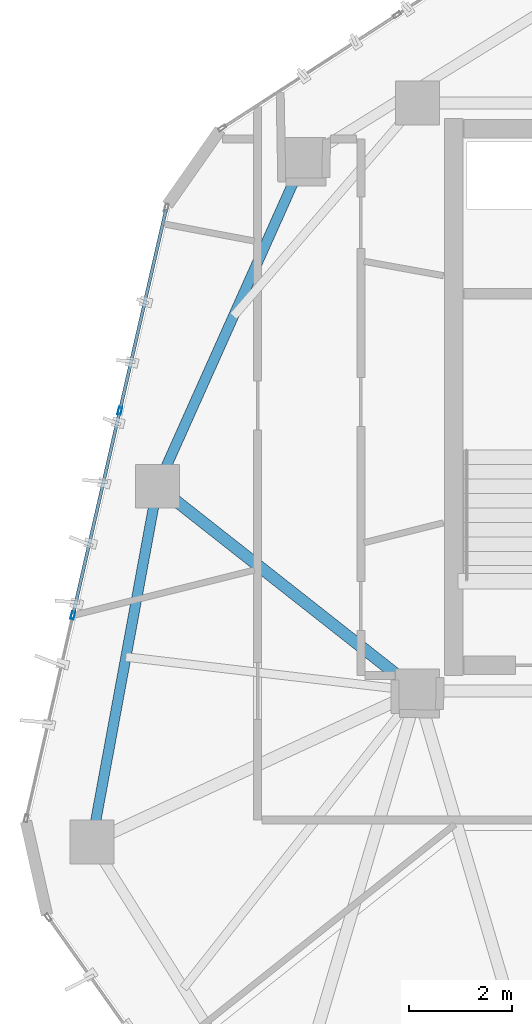
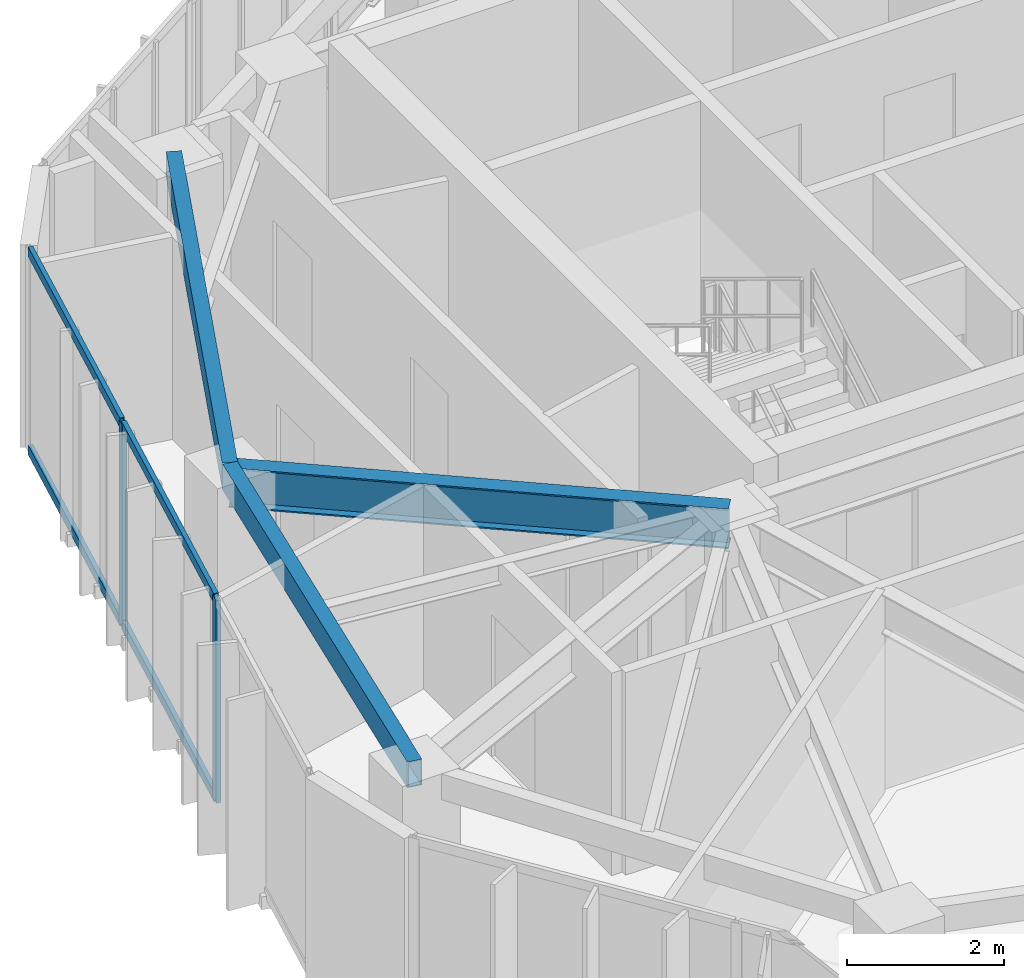
# One storey, part 8 of 20: 6 members, 3 beams, 1 element without a shape of its own.
"""IFC4 building model written with IfcOpenShell, lengths in metres."""

from ifc_helpers import new_model, si_unit, direction, frame, origin, origin_2d, place, context, subcontext, project, spatial, hollow_rectangle, i_section, extrude, source, transform, mapped, material, layer, layer_set, material_profile, profile_set, type_object, type_shapes, element, aggregate, save


model = new_model("IFC4")

# Units and contexts
model_context = context("Model", 3, precision=1e-05, world=origin(), true_north=direction((0.0, 1.0)))
body_context = subcontext(model_context, "Body", "Model", "MODEL_VIEW")
ifc_project = project(units=[si_unit("LENGTHUNIT", "METRE"), si_unit("AREAUNIT", "SQUARE_METRE"), si_unit("VOLUMEUNIT", "CUBIC_METRE"), si_unit("PLANEANGLEUNIT", "RADIAN"), si_unit("MASSUNIT", "GRAM", prefix="KILO")], contexts=[model_context])

# Site, building, storey
site_placement = place(None, origin())
site = spatial("IfcSite", under=ifc_project, at=site_placement, CompositionType="ELEMENT")
building_placement = place(site_placement, origin())
building = spatial("IfcBuilding", under=site, at=building_placement, Name="Talar Marvaseh", CompositionType="ELEMENT")
storey_placement = place(building_placement, frame((0.0, 0.0, 247.60009765625)))
storey = spatial("IfcBuildingStorey", under=building, at=storey_placement, Name="L65", CompositionType="ELEMENT", Elevation=247.60009765625)

# Beams
ifc_material_1 = material(Name="Steel S355", Category="steel")
ifc_material_profile_1 = material_profile(ifc_material_1, hollow_rectangle(XDim=0.199951171875, YDim=0.39990234375, WallThickness=0.013916015625, at=origin_2d()), Name="RHS400x200x14")
ifc_profile_set_1 = profile_set([ifc_material_profile_1], Name="Steel S355")
beam_type_1 = type_object("IfcBeamType", Name="Zone 3 Perimeter Spandrel Beam RHS400x200x14", PredefinedType="SPANDREL", material=ifc_profile_set_1)
beam_1_placement = place(storey_placement, frame((12.388916015625, 22.576904296875, 2.93994140625), z_axis=(0.18106135948, 0.983471801377, 0.0), x_axis=(-0.983471801377, 0.18106135948, 0.0)))
element("IfcBeam", 1, at=beam_1_placement, inside=storey, type_object=beam_type_1, Name="L65 Zone 3 Perimeter Spandrel Beam RHS400x200x14", PredefinedType="SPANDREL", context=body_context, shape_type="SweptSolid", body=[
    extrude(hollow_rectangle(XDim=0.199951171875, YDim=0.39990234375, WallThickness=0.013916015625, at=origin_2d()), origin(), (0.0, 0.0, 1.0), 7.0087890625),
])
beam_2_placement = place(storey_placement, frame((13.657958984375, 29.469970703125, 2.93994140625), z_axis=(0.408486346803, 0.912764429892, 0.0), x_axis=(-0.912764429892, 0.408486346803, 0.0)))
element("IfcBeam", 2, at=beam_2_placement, inside=storey, type_object=beam_type_1, Name="L65 Zone 3 Perimeter Spandrel Beam RHS400x200x14", PredefinedType="SPANDREL", context=body_context, shape_type="SweptSolid", body=[
    extrude(hollow_rectangle(XDim=0.199951171875, YDim=0.39990234375, WallThickness=0.013916015625, at=origin_2d()), origin(), (0.0, 0.0, 1.0), 6.942626953125),
])
ifc_material_profile_2 = material_profile(ifc_material_1, i_section(OverallWidth=0.22998046875, OverallDepth=0.616943359375, WebThickness=0.01318359375, FlangeThickness=0.022216796875, at=origin_2d()), Name="W610x140")
ifc_profile_set_2 = profile_set([ifc_material_profile_2], Name="Steel S355")
beam_type_2 = type_object("IfcBeamType", Name="Zone 4 Radial Floor Girder W610x140", PredefinedType="BEAM", material=ifc_profile_set_2)
beam_3_placement = place(storey_placement, frame((13.657958984375, 29.469970703125, 2.831298828125), z_axis=(0.785681617372, -0.618631066245, 0.0), x_axis=(0.618631066245, 0.785681617372, 0.0)))
element("IfcBeam", 3, at=beam_3_placement, inside=storey, type_object=beam_type_2, Name="L65 Zone 4 Radial Floor Girder W610x140", PredefinedType="BEAM", context=body_context, shape_type="SweptSolid", body=[
    extrude(i_section(OverallWidth=0.22998046875, OverallDepth=0.616943359375, WebThickness=0.01318359375, FlangeThickness=0.022216796875, at=origin_2d()), origin(), (0.0, 0.0, 1.0), 6.417236328125),
])

# Curtain wall, members
ifc_material_2 = material(Name="Architectural Aluminium", Category="aluminium")
ifc_layer = layer(ifc_material_2, 0.179931640625)
ifc_layer_set = layer_set([ifc_layer], Name="Architectural Aluminium")
curtain_wall_type = type_object("IfcCurtainWallType", Name="Unitised High-Wind Sky Curtain Wall Z4", PredefinedType="NOTDEFINED", material=ifc_layer_set)
curtain_wall_placement = place(storey_placement, origin())
curtain_wall = element("IfcCurtainWall", 4, at=curtain_wall_placement, inside=storey, type_object=curtain_wall_type, Name="L65 Unitised High-Wind Sky Curtain Wall Z4", PredefinedType="NOTDEFINED")
ifc_material_profile_3 = material_profile(ifc_material_2, hollow_rectangle(XDim=0.06494140625, YDim=0.14990234375, WallThickness=0.00390625, at=origin_2d()), Name="RHS150x65x4")
ifc_profile_set_3 = profile_set([ifc_material_profile_3], Name="Architectural Aluminium")
member_type_1 = type_object("IfcMemberType", Name="Unitised Curtain Wall Slim Mullion RHS150x65x4", PredefinedType="MULLION", material=ifc_profile_set_3)
shared_shape_1 = source(origin(), body_context, "Body", "SweptSolid", [
    extrude(hollow_rectangle(XDim=0.06494140625, YDim=0.14990234375, WallThickness=0.00390625, at=origin_2d()), origin(), (0.0, 0.0, 1.0), 3.139892578125),
])
type_shapes(member_type_1, [shared_shape_1])
member_1_placement = place(storey_placement, frame((12.021484375, 26.967529296875, 0.0), z_axis=(0.0, 0.0, 1.0), x_axis=(-0.974636944465, 0.223791926761, 0.0)))
member_1 = element("IfcMember", 5, at=member_1_placement, type_object=member_type_1, Name="CW-Z4 mullion 2", PredefinedType="MULLION", context=body_context, shape_type="MappedRepresentation", body=[
    mapped(shared_shape_1, transform((0.0, 0.0, 0.0), x_axis=(1.0, 0.0, 0.0), y_axis=(0.0, 1.0, 0.0), z_axis=(0.0, 0.0, 1.0), scale=1.0)),
])
member_2_placement = place(storey_placement, frame((12.931884765625, 30.932861328125, 0.0), z_axis=(0.0, 0.0, 1.0), x_axis=(-0.974636944465, 0.223791926761, 0.0)))
member_2 = element("IfcMember", 6, at=member_2_placement, type_object=member_type_1, Name="CW-Z4 mullion 3", PredefinedType="MULLION", context=body_context, shape_type="MappedRepresentation", body=[
    mapped(shared_shape_1, transform((0.0, 0.0, 0.0), x_axis=(1.0, 0.0, 0.0), y_axis=(0.0, 1.0, 0.0), z_axis=(0.0, 0.0, 1.0), scale=1.0)),
])
ifc_material_profile_4 = material_profile(ifc_material_2, hollow_rectangle(XDim=0.06494140625, YDim=0.14990234375, WallThickness=0.00390625, at=origin_2d()), Name="RHS150x65x4")
ifc_profile_set_4 = profile_set([ifc_material_profile_4], Name="Architectural Aluminium")
member_type_2 = type_object("IfcMemberType", Name="Unitised Curtain Wall Slim Transom RHS150x65x4", PredefinedType="USERDEFINED", material=ifc_profile_set_4)
shared_shape_2 = source(origin(), body_context, "Body", "SweptSolid", [
    extrude(hollow_rectangle(XDim=0.06494140625, YDim=0.14990234375, WallThickness=0.00390625, at=origin_2d()), origin(), (0.0, 0.0, 1.0), 3.97119140625),
])
member_3_placement = place(storey_placement, frame((12.939208984375, 30.964599609375, 0.032470703125), z_axis=(0.223786238087, 0.974638250657, 0.0), x_axis=(-0.974638250657, 0.223786238087, 0.0)))
member_3 = element("IfcMember", 7, at=member_3_placement, type_object=member_type_2, Name="CW-Z4 transom 3.1", ObjectType="TRANSOM", PredefinedType="USERDEFINED", context=body_context, shape_type="MappedRepresentation", body=[
    mapped(shared_shape_2, transform((0.0, 0.0, 0.0), x_axis=(1.0, 0.0, 0.0), y_axis=(0.0, 1.0, 0.0), z_axis=(0.0, 0.0, 1.0), scale=1.0)),
])
member_4_placement = place(storey_placement, frame((12.939208984375, 30.964599609375, 3.107421875), z_axis=(0.223786238087, 0.974638250657, 0.0), x_axis=(-0.974638250657, 0.223786238087, 0.0)))
member_4 = element("IfcMember", 8, at=member_4_placement, type_object=member_type_2, Name="CW-Z4 transom 3.2", ObjectType="TRANSOM", PredefinedType="USERDEFINED", context=body_context, shape_type="MappedRepresentation", body=[
    mapped(shared_shape_2, transform((0.0, 0.0, 0.0), x_axis=(1.0, 0.0, 0.0), y_axis=(0.0, 1.0, 0.0), z_axis=(0.0, 0.0, 1.0), scale=1.0)),
])
shared_shape_3 = source(origin(), body_context, "Body", "SweptSolid", [
    extrude(hollow_rectangle(XDim=0.06494140625, YDim=0.14990234375, WallThickness=0.00390625, at=origin_2d()), origin(), (0.0, 0.0, 1.0), 4.00390625),
])
type_shapes(member_type_2, [shared_shape_2, shared_shape_3])
member_5_placement = place(storey_placement, frame((12.02880859375, 26.9990234375, 0.032470703125), z_axis=(0.223781670949, 0.974639299304, 0.0), x_axis=(-0.974639299304, 0.223781670949, 0.0)))
member_5 = element("IfcMember", 9, at=member_5_placement, type_object=member_type_2, Name="CW-Z4 transom 2.1", ObjectType="TRANSOM", PredefinedType="USERDEFINED", context=body_context, shape_type="MappedRepresentation", body=[
    mapped(shared_shape_3, transform((0.0, 0.0, 0.0), x_axis=(1.0, 0.0, 0.0), y_axis=(0.0, 1.0, 0.0), z_axis=(0.0, 0.0, 1.0), scale=1.0)),
])
member_6_placement = place(storey_placement, frame((12.02880859375, 26.9990234375, 3.107421875), z_axis=(0.223781670949, 0.974639299304, 0.0), x_axis=(-0.974639299304, 0.223781670949, 0.0)))
member_6 = element("IfcMember", 10, at=member_6_placement, type_object=member_type_2, Name="CW-Z4 transom 2.2", ObjectType="TRANSOM", PredefinedType="USERDEFINED", context=body_context, shape_type="MappedRepresentation", body=[
    mapped(shared_shape_3, transform((0.0, 0.0, 0.0), x_axis=(1.0, 0.0, 0.0), y_axis=(0.0, 1.0, 0.0), z_axis=(0.0, 0.0, 1.0), scale=1.0)),
])
aggregate(curtain_wall, [member_1, member_2, member_5, member_6, member_3, member_4])

save(model, "model.ifc")
